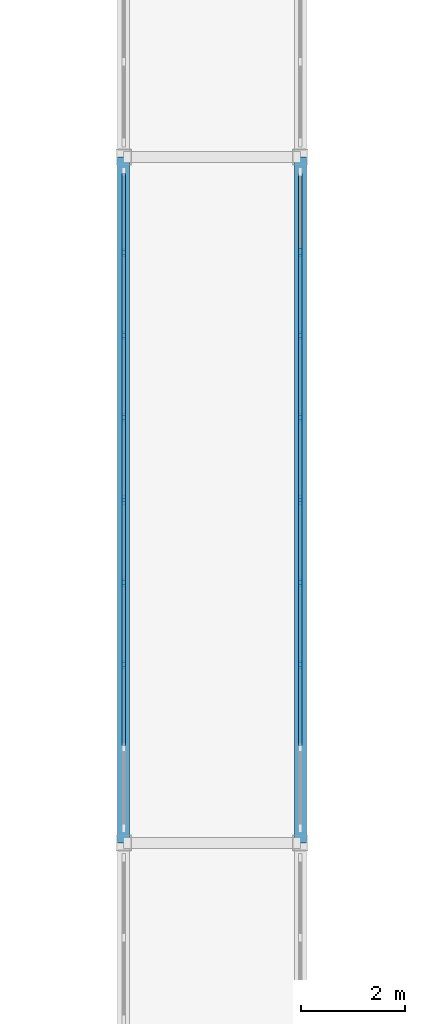
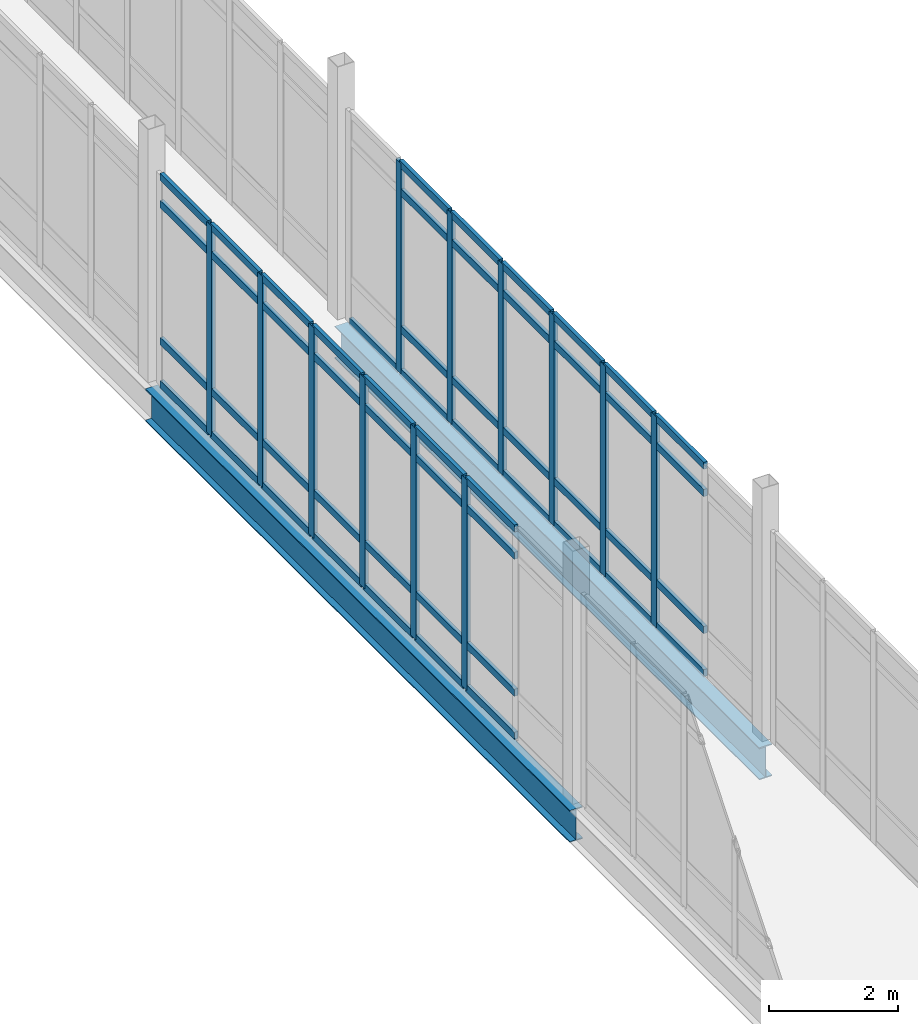
# One storey, part 53 of 125: 65 members, 2 beams, 2 elements without a shape of their own.
"""IFC4 building model written with IfcOpenShell, lengths in metres."""

from ifc_helpers import new_model, si_unit, direction, frame, origin, origin_2d, place, context, subcontext, project, spatial, rectangle, i_section, extrude, material, material_profile, profile_set, type_object, element, aggregate, save


model = new_model("IFC4")

# Units and contexts
model_context = context("Model", 3, precision=1e-05, world=origin(), true_north=direction((0.0, 1.0)))
body_context = subcontext(model_context, "Body", "Model", "MODEL_VIEW")
ifc_project = project(units=[si_unit("LENGTHUNIT", "METRE"), si_unit("AREAUNIT", "SQUARE_METRE"), si_unit("VOLUMEUNIT", "CUBIC_METRE"), si_unit("PLANEANGLEUNIT", "RADIAN"), si_unit("MASSUNIT", "GRAM", prefix="KILO")], contexts=[model_context])

# Site, building, storey
site_placement = place(None, origin())
site = spatial("IfcSite", under=ifc_project, at=site_placement, CompositionType="ELEMENT")
building_placement = place(site_placement, origin())
building = spatial("IfcBuilding", under=site, at=building_placement, Name="Dornvale Research Institute", CompositionType="ELEMENT")
storey_placement = place(building_placement, frame((0.0, 0.0, 5.39990234375)))
storey = spatial("IfcBuildingStorey", under=building, at=storey_placement, Name="L01", CompositionType="ELEMENT", Elevation=5.39990234375)

# Beams
ifc_material_1 = material(Name="Steel ASTM A992 Grade 50", Category="steel")
ifc_material_profile_1 = material_profile(ifc_material_1, i_section(OverallWidth=0.22900390625, OverallDepth=0.612060546875, WebThickness=0.011962890625, FlangeThickness=0.01953125, at=origin_2d()), Name="W24X84")
ifc_profile_set_1 = profile_set([ifc_material_profile_1], Name="Steel ASTM A992 Grade 50")
beam_type = type_object("IfcBeamType", Name="Beam_Steel_W24X84_Bridge", PredefinedType="BEAM", material=ifc_profile_set_1)
for number, where, z_axis, x_axis, name in (
    (1, (140.199951171875, 39.60009765625, -0.52587890625), (0.0, 1.0, 0.0), (-1.0, 0.0, 0.0), "L01 BR-7 west girder #2026"),
    (2, (143.60009765625, 39.60009765625, -0.52587890625), (0.0, 1.0, 0.0), (-1.0, 0.0, 0.0), "L01 BR-7 east girder #2026"),
):
    element("IfcBeam", number, at=place(storey_placement, frame(where, z_axis=z_axis, x_axis=x_axis)), inside=storey, type_object=beam_type, Name=name, PredefinedType="BEAM", context=body_context, shape_type="SweptSolid", body=[
        extrude(i_section(OverallWidth=0.22900390625, OverallDepth=0.612060546875, WebThickness=0.011962890625, FlangeThickness=0.01953125, at=origin_2d()), origin(), (0.0, 0.0, 1.0), 13.199951171875),
    ])

# Curtain wall, members
ifc_material_2 = material(Name="Low-E Argon Double Insulating Glazing Unit", Category="glass")
curtain_wall_type = type_object("IfcCurtainWallType", Name="UnitisedCurtainWall_V2_12700x4000", PredefinedType="USERDEFINED", material=ifc_material_2)
curtain_wall_1_placement = place(storey_placement, origin())
curtain_wall_1 = element("IfcCurtainWall", 3, at=curtain_wall_1_placement, inside=storey, type_object=curtain_wall_type, Name="L01 V2 unitised curtain wall CW-42 #233", ObjectType="UNITISED CURTAIN WALL", PredefinedType="USERDEFINED")
ifc_material_3 = material(Name="Anodized Aluminum AA 6063-T6 Thermally Broken Frame", Category="aluminium")
ifc_material_profile_2 = material_profile(ifc_material_3, rectangle(XDim=0.06494140625, YDim=0.1650390625, at=origin_2d()), Name="ALU MULLION 65x165")
ifc_profile_set_2 = profile_set([ifc_material_profile_2], Name="Anodized Aluminum AA 6063-T6 Thermally Broken Frame")
member_type_1 = type_object("IfcMemberType", Name="Mullion_Atrium_65x165", PredefinedType="MULLION", material=ifc_profile_set_2)
member_1_placement = place(storey_placement, frame((140.199951171875, 43.02490234375, 0.0), z_axis=(0.0, 0.0, 1.0), x_axis=(-1.0, 0.0, 0.0)))
member_1 = element("IfcMember", 4, at=member_1_placement, type_object=member_type_1, Name="CW-42 mullion 3", PredefinedType="MULLION", context=body_context, shape_type="SweptSolid", body=[
    extrude(rectangle(XDim=0.06494140625, YDim=0.1650390625, at=origin_2d()), origin(), (0.0, 0.0, 1.0), 4.0),
])
member_2_placement = place(storey_placement, frame((140.199951171875, 44.612548828125, 0.0), z_axis=(0.0, 0.0, 1.0), x_axis=(-1.0, 0.0, 0.0)))
member_2 = element("IfcMember", 5, at=member_2_placement, type_object=member_type_1, Name="CW-42 mullion 4", PredefinedType="MULLION", context=body_context, shape_type="SweptSolid", body=[
    extrude(rectangle(XDim=0.06494140625, YDim=0.1650390625, at=origin_2d()), origin(), (0.0, 0.0, 1.0), 4.0),
])
member_3_placement = place(storey_placement, frame((140.199951171875, 46.199951171875, 0.0), z_axis=(0.0, 0.0, 1.0), x_axis=(-1.0, 0.0, 0.0)))
member_3 = element("IfcMember", 6, at=member_3_placement, type_object=member_type_1, Name="CW-42 mullion 5", PredefinedType="MULLION", context=body_context, shape_type="SweptSolid", body=[
    extrude(rectangle(XDim=0.06494140625, YDim=0.1650390625, at=origin_2d()), origin(), (0.0, 0.0, 1.0), 4.0),
])
member_4_placement = place(storey_placement, frame((140.199951171875, 47.78759765625, 0.0), z_axis=(0.0, 0.0, 1.0), x_axis=(-1.0, 0.0, 0.0)))
member_4 = element("IfcMember", 7, at=member_4_placement, type_object=member_type_1, Name="CW-42 mullion 6", PredefinedType="MULLION", context=body_context, shape_type="SweptSolid", body=[
    extrude(rectangle(XDim=0.06494140625, YDim=0.1650390625, at=origin_2d()), origin(), (0.0, 0.0, 1.0), 4.0),
])
member_5_placement = place(storey_placement, frame((140.199951171875, 49.375, 0.0), z_axis=(0.0, 0.0, 1.0), x_axis=(-1.0, 0.0, 0.0)))
member_5 = element("IfcMember", 8, at=member_5_placement, type_object=member_type_1, Name="CW-42 mullion 7", PredefinedType="MULLION", context=body_context, shape_type="SweptSolid", body=[
    extrude(rectangle(XDim=0.06494140625, YDim=0.1650390625, at=origin_2d()), origin(), (0.0, 0.0, 1.0), 4.0),
])
member_6_placement = place(storey_placement, frame((140.199951171875, 50.96240234375, 0.0), z_axis=(0.0, 0.0, 1.0), x_axis=(-1.0, 0.0, 0.0)))
member_6 = element("IfcMember", 9, at=member_6_placement, type_object=member_type_1, Name="CW-42 mullion 8", PredefinedType="MULLION", context=body_context, shape_type="SweptSolid", body=[
    extrude(rectangle(XDim=0.06494140625, YDim=0.1650390625, at=origin_2d()), origin(), (0.0, 0.0, 1.0), 4.0),
])

curtain_wall_2_placement = place(storey_placement, origin())
curtain_wall_2 = element("IfcCurtainWall", 10, at=curtain_wall_2_placement, inside=storey, type_object=curtain_wall_type, Name="L01 V2 unitised curtain wall CW-42 #234", ObjectType="UNITISED CURTAIN WALL", PredefinedType="USERDEFINED")
member_7_placement = place(storey_placement, frame((143.60009765625, 50.96240234375, 0.0), z_axis=(0.0, 0.0, 1.0), x_axis=(1.0, 0.0, 0.0)))
member_7 = element("IfcMember", 11, at=member_7_placement, type_object=member_type_1, Name="CW-42 mullion 2", PredefinedType="MULLION", context=body_context, shape_type="SweptSolid", body=[
    extrude(rectangle(XDim=0.06494140625, YDim=0.1650390625, at=origin_2d()), origin(), (0.0, 0.0, 1.0), 4.0),
])
member_8_placement = place(storey_placement, frame((143.60009765625, 49.375, 0.0), z_axis=(0.0, 0.0, 1.0), x_axis=(1.0, 0.0, 0.0)))
member_8 = element("IfcMember", 12, at=member_8_placement, type_object=member_type_1, Name="CW-42 mullion 3", PredefinedType="MULLION", context=body_context, shape_type="SweptSolid", body=[
    extrude(rectangle(XDim=0.06494140625, YDim=0.1650390625, at=origin_2d()), origin(), (0.0, 0.0, 1.0), 4.0),
])
member_9_placement = place(storey_placement, frame((143.60009765625, 47.78759765625, 0.0), z_axis=(0.0, 0.0, 1.0), x_axis=(1.0, 0.0, 0.0)))
member_9 = element("IfcMember", 13, at=member_9_placement, type_object=member_type_1, Name="CW-42 mullion 4", PredefinedType="MULLION", context=body_context, shape_type="SweptSolid", body=[
    extrude(rectangle(XDim=0.06494140625, YDim=0.1650390625, at=origin_2d()), origin(), (0.0, 0.0, 1.0), 4.0),
])
member_10_placement = place(storey_placement, frame((143.60009765625, 46.199951171875, 0.0), z_axis=(0.0, 0.0, 1.0), x_axis=(1.0, 0.0, 0.0)))
member_10 = element("IfcMember", 14, at=member_10_placement, type_object=member_type_1, Name="CW-42 mullion 5", PredefinedType="MULLION", context=body_context, shape_type="SweptSolid", body=[
    extrude(rectangle(XDim=0.06494140625, YDim=0.1650390625, at=origin_2d()), origin(), (0.0, 0.0, 1.0), 4.0),
])
member_11_placement = place(storey_placement, frame((143.60009765625, 44.612548828125, 0.0), z_axis=(0.0, 0.0, 1.0), x_axis=(1.0, 0.0, 0.0)))
member_11 = element("IfcMember", 15, at=member_11_placement, type_object=member_type_1, Name="CW-42 mullion 6", PredefinedType="MULLION", context=body_context, shape_type="SweptSolid", body=[
    extrude(rectangle(XDim=0.06494140625, YDim=0.1650390625, at=origin_2d()), origin(), (0.0, 0.0, 1.0), 4.0),
])
member_12_placement = place(storey_placement, frame((143.60009765625, 43.02490234375, 0.0), z_axis=(0.0, 0.0, 1.0), x_axis=(1.0, 0.0, 0.0)))
member_12 = element("IfcMember", 16, at=member_12_placement, type_object=member_type_1, Name="CW-42 mullion 7", PredefinedType="MULLION", context=body_context, shape_type="SweptSolid", body=[
    extrude(rectangle(XDim=0.06494140625, YDim=0.1650390625, at=origin_2d()), origin(), (0.0, 0.0, 1.0), 4.0),
])

# Member
ifc_material_4 = material(Name="Anodized Aluminum AA 6063-T6 Thermally Broken Frame", Category="aluminium")
ifc_material_profile_3 = material_profile(ifc_material_4, rectangle(XDim=0.06494140625, YDim=0.135009765625, at=origin_2d()), Name="ALU TRANSOM 65x135")
ifc_profile_set_3 = profile_set([ifc_material_profile_3], Name="Anodized Aluminum AA 6063-T6 Thermally Broken Frame")
member_type_2 = type_object("IfcMemberType", Name="Transom_CW_65x135", PredefinedType="USERDEFINED", material=ifc_profile_set_3)
member_13_placement = place(storey_placement, frame((140.199951171875, 41.469970703125, 0.03271484375), z_axis=(0.0, 1.0, 0.0), x_axis=(-1.0, 0.0, 0.0)))
member_13 = element("IfcMember", 17, at=member_13_placement, type_object=member_type_2, Name="CW-42 transom 2.1", ObjectType="TRANSOM", PredefinedType="USERDEFINED", context=body_context, shape_type="SweptSolid", body=[
    extrude(rectangle(XDim=0.06494140625, YDim=0.135009765625, at=origin_2d()), origin(), (0.0, 0.0, 1.0), 1.5224609375),
])

member_14_placement = place(storey_placement, frame((140.199951171875, 41.469970703125, 0.85009765625), z_axis=(0.0, 1.0, 0.0), x_axis=(-1.0, 0.0, 0.0)))
member_14 = element("IfcMember", 18, at=member_14_placement, type_object=member_type_2, Name="CW-42 transom 2.2", ObjectType="TRANSOM", PredefinedType="USERDEFINED", context=body_context, shape_type="SweptSolid", body=[
    extrude(rectangle(XDim=0.06494140625, YDim=0.135009765625, at=origin_2d()), origin(), (0.0, 0.0, 1.0), 1.5224609375),
])

member_15_placement = place(storey_placement, frame((140.199951171875, 41.469970703125, 3.4501953125), z_axis=(0.0, 1.0, 0.0), x_axis=(-1.0, 0.0, 0.0)))
member_15 = element("IfcMember", 19, at=member_15_placement, type_object=member_type_2, Name="CW-42 transom 2.3", ObjectType="TRANSOM", PredefinedType="USERDEFINED", context=body_context, shape_type="SweptSolid", body=[
    extrude(rectangle(XDim=0.06494140625, YDim=0.135009765625, at=origin_2d()), origin(), (0.0, 0.0, 1.0), 1.5224609375),
])

member_16_placement = place(storey_placement, frame((140.199951171875, 41.469970703125, 3.967529296875), z_axis=(0.0, 1.0, 0.0), x_axis=(-1.0, 0.0, 0.0)))
member_16 = element("IfcMember", 20, at=member_16_placement, type_object=member_type_2, Name="CW-42 transom 2.4", ObjectType="TRANSOM", PredefinedType="USERDEFINED", context=body_context, shape_type="SweptSolid", body=[
    extrude(rectangle(XDim=0.06494140625, YDim=0.135009765625, at=origin_2d()), origin(), (0.0, 0.0, 1.0), 1.5224609375),
])

member_17_placement = place(storey_placement, frame((140.199951171875, 43.0576171875, 0.03271484375), z_axis=(0.0, 1.0, 0.0), x_axis=(-1.0, 0.0, 0.0)))
member_17 = element("IfcMember", 21, at=member_17_placement, type_object=member_type_2, Name="CW-42 transom 3.1", ObjectType="TRANSOM", PredefinedType="USERDEFINED", context=body_context, shape_type="SweptSolid", body=[
    extrude(rectangle(XDim=0.06494140625, YDim=0.135009765625, at=origin_2d()), origin(), (0.0, 0.0, 1.0), 1.5224609375),
])

member_18_placement = place(storey_placement, frame((140.199951171875, 43.0576171875, 0.85009765625), z_axis=(0.0, 1.0, 0.0), x_axis=(-1.0, 0.0, 0.0)))
member_18 = element("IfcMember", 22, at=member_18_placement, type_object=member_type_2, Name="CW-42 transom 3.2", ObjectType="TRANSOM", PredefinedType="USERDEFINED", context=body_context, shape_type="SweptSolid", body=[
    extrude(rectangle(XDim=0.06494140625, YDim=0.135009765625, at=origin_2d()), origin(), (0.0, 0.0, 1.0), 1.5224609375),
])

member_19_placement = place(storey_placement, frame((140.199951171875, 43.0576171875, 3.4501953125), z_axis=(0.0, 1.0, 0.0), x_axis=(-1.0, 0.0, 0.0)))
member_19 = element("IfcMember", 23, at=member_19_placement, type_object=member_type_2, Name="CW-42 transom 3.3", ObjectType="TRANSOM", PredefinedType="USERDEFINED", context=body_context, shape_type="SweptSolid", body=[
    extrude(rectangle(XDim=0.06494140625, YDim=0.135009765625, at=origin_2d()), origin(), (0.0, 0.0, 1.0), 1.5224609375),
])

member_20_placement = place(storey_placement, frame((140.199951171875, 43.0576171875, 3.967529296875), z_axis=(0.0, 1.0, 0.0), x_axis=(-1.0, 0.0, 0.0)))
member_20 = element("IfcMember", 24, at=member_20_placement, type_object=member_type_2, Name="CW-42 transom 3.4", ObjectType="TRANSOM", PredefinedType="USERDEFINED", context=body_context, shape_type="SweptSolid", body=[
    extrude(rectangle(XDim=0.06494140625, YDim=0.135009765625, at=origin_2d()), origin(), (0.0, 0.0, 1.0), 1.5224609375),
])

member_21_placement = place(storey_placement, frame((140.199951171875, 44.64501953125, 0.03271484375), z_axis=(0.0, 1.0, 0.0), x_axis=(-1.0, 0.0, 0.0)))
member_21 = element("IfcMember", 25, at=member_21_placement, type_object=member_type_2, Name="CW-42 transom 4.1", ObjectType="TRANSOM", PredefinedType="USERDEFINED", context=body_context, shape_type="SweptSolid", body=[
    extrude(rectangle(XDim=0.06494140625, YDim=0.135009765625, at=origin_2d()), origin(), (0.0, 0.0, 1.0), 1.5224609375),
])

member_22_placement = place(storey_placement, frame((140.199951171875, 44.64501953125, 0.85009765625), z_axis=(0.0, 1.0, 0.0), x_axis=(-1.0, 0.0, 0.0)))
member_22 = element("IfcMember", 26, at=member_22_placement, type_object=member_type_2, Name="CW-42 transom 4.2", ObjectType="TRANSOM", PredefinedType="USERDEFINED", context=body_context, shape_type="SweptSolid", body=[
    extrude(rectangle(XDim=0.06494140625, YDim=0.135009765625, at=origin_2d()), origin(), (0.0, 0.0, 1.0), 1.5224609375),
])

member_23_placement = place(storey_placement, frame((140.199951171875, 44.64501953125, 3.4501953125), z_axis=(0.0, 1.0, 0.0), x_axis=(-1.0, 0.0, 0.0)))
member_23 = element("IfcMember", 27, at=member_23_placement, type_object=member_type_2, Name="CW-42 transom 4.3", ObjectType="TRANSOM", PredefinedType="USERDEFINED", context=body_context, shape_type="SweptSolid", body=[
    extrude(rectangle(XDim=0.06494140625, YDim=0.135009765625, at=origin_2d()), origin(), (0.0, 0.0, 1.0), 1.5224609375),
])

member_24_placement = place(storey_placement, frame((140.199951171875, 44.64501953125, 3.967529296875), z_axis=(0.0, 1.0, 0.0), x_axis=(-1.0, 0.0, 0.0)))
member_24 = element("IfcMember", 28, at=member_24_placement, type_object=member_type_2, Name="CW-42 transom 4.4", ObjectType="TRANSOM", PredefinedType="USERDEFINED", context=body_context, shape_type="SweptSolid", body=[
    extrude(rectangle(XDim=0.06494140625, YDim=0.135009765625, at=origin_2d()), origin(), (0.0, 0.0, 1.0), 1.5224609375),
])

member_25_placement = place(storey_placement, frame((140.199951171875, 46.232421875, 0.03271484375), z_axis=(0.0, 1.0, 0.0), x_axis=(-1.0, 0.0, 0.0)))
member_25 = element("IfcMember", 29, at=member_25_placement, type_object=member_type_2, Name="CW-42 transom 5.1", ObjectType="TRANSOM", PredefinedType="USERDEFINED", context=body_context, shape_type="SweptSolid", body=[
    extrude(rectangle(XDim=0.06494140625, YDim=0.135009765625, at=origin_2d()), origin(), (0.0, 0.0, 1.0), 1.5224609375),
])

member_26_placement = place(storey_placement, frame((140.199951171875, 46.232421875, 0.85009765625), z_axis=(0.0, 1.0, 0.0), x_axis=(-1.0, 0.0, 0.0)))
member_26 = element("IfcMember", 30, at=member_26_placement, type_object=member_type_2, Name="CW-42 transom 5.2", ObjectType="TRANSOM", PredefinedType="USERDEFINED", context=body_context, shape_type="SweptSolid", body=[
    extrude(rectangle(XDim=0.06494140625, YDim=0.135009765625, at=origin_2d()), origin(), (0.0, 0.0, 1.0), 1.5224609375),
])

member_27_placement = place(storey_placement, frame((140.199951171875, 46.232421875, 3.4501953125), z_axis=(0.0, 1.0, 0.0), x_axis=(-1.0, 0.0, 0.0)))
member_27 = element("IfcMember", 31, at=member_27_placement, type_object=member_type_2, Name="CW-42 transom 5.3", ObjectType="TRANSOM", PredefinedType="USERDEFINED", context=body_context, shape_type="SweptSolid", body=[
    extrude(rectangle(XDim=0.06494140625, YDim=0.135009765625, at=origin_2d()), origin(), (0.0, 0.0, 1.0), 1.5224609375),
])

member_28_placement = place(storey_placement, frame((140.199951171875, 46.232421875, 3.967529296875), z_axis=(0.0, 1.0, 0.0), x_axis=(-1.0, 0.0, 0.0)))
member_28 = element("IfcMember", 32, at=member_28_placement, type_object=member_type_2, Name="CW-42 transom 5.4", ObjectType="TRANSOM", PredefinedType="USERDEFINED", context=body_context, shape_type="SweptSolid", body=[
    extrude(rectangle(XDim=0.06494140625, YDim=0.135009765625, at=origin_2d()), origin(), (0.0, 0.0, 1.0), 1.5224609375),
])

member_29_placement = place(storey_placement, frame((140.199951171875, 47.820068359375, 0.03271484375), z_axis=(0.0, 1.0, 0.0), x_axis=(-1.0, 0.0, 0.0)))
member_29 = element("IfcMember", 33, at=member_29_placement, type_object=member_type_2, Name="CW-42 transom 6.1", ObjectType="TRANSOM", PredefinedType="USERDEFINED", context=body_context, shape_type="SweptSolid", body=[
    extrude(rectangle(XDim=0.06494140625, YDim=0.135009765625, at=origin_2d()), origin(), (0.0, 0.0, 1.0), 1.5224609375),
])

member_30_placement = place(storey_placement, frame((140.199951171875, 47.820068359375, 0.85009765625), z_axis=(0.0, 1.0, 0.0), x_axis=(-1.0, 0.0, 0.0)))
member_30 = element("IfcMember", 34, at=member_30_placement, type_object=member_type_2, Name="CW-42 transom 6.2", ObjectType="TRANSOM", PredefinedType="USERDEFINED", context=body_context, shape_type="SweptSolid", body=[
    extrude(rectangle(XDim=0.06494140625, YDim=0.135009765625, at=origin_2d()), origin(), (0.0, 0.0, 1.0), 1.5224609375),
])

member_31_placement = place(storey_placement, frame((140.199951171875, 47.820068359375, 3.4501953125), z_axis=(0.0, 1.0, 0.0), x_axis=(-1.0, 0.0, 0.0)))
member_31 = element("IfcMember", 35, at=member_31_placement, type_object=member_type_2, Name="CW-42 transom 6.3", ObjectType="TRANSOM", PredefinedType="USERDEFINED", context=body_context, shape_type="SweptSolid", body=[
    extrude(rectangle(XDim=0.06494140625, YDim=0.135009765625, at=origin_2d()), origin(), (0.0, 0.0, 1.0), 1.5224609375),
])

member_32_placement = place(storey_placement, frame((140.199951171875, 47.820068359375, 3.967529296875), z_axis=(0.0, 1.0, 0.0), x_axis=(-1.0, 0.0, 0.0)))
member_32 = element("IfcMember", 36, at=member_32_placement, type_object=member_type_2, Name="CW-42 transom 6.4", ObjectType="TRANSOM", PredefinedType="USERDEFINED", context=body_context, shape_type="SweptSolid", body=[
    extrude(rectangle(XDim=0.06494140625, YDim=0.135009765625, at=origin_2d()), origin(), (0.0, 0.0, 1.0), 1.5224609375),
])

member_33_placement = place(storey_placement, frame((140.199951171875, 49.407470703125, 0.03271484375), z_axis=(0.0, 1.0, 0.0), x_axis=(-1.0, 0.0, 0.0)))
member_33 = element("IfcMember", 37, at=member_33_placement, type_object=member_type_2, Name="CW-42 transom 7.1", ObjectType="TRANSOM", PredefinedType="USERDEFINED", context=body_context, shape_type="SweptSolid", body=[
    extrude(rectangle(XDim=0.06494140625, YDim=0.135009765625, at=origin_2d()), origin(), (0.0, 0.0, 1.0), 1.5224609375),
])

member_34_placement = place(storey_placement, frame((140.199951171875, 49.407470703125, 0.85009765625), z_axis=(0.0, 1.0, 0.0), x_axis=(-1.0, 0.0, 0.0)))
member_34 = element("IfcMember", 38, at=member_34_placement, type_object=member_type_2, Name="CW-42 transom 7.2", ObjectType="TRANSOM", PredefinedType="USERDEFINED", context=body_context, shape_type="SweptSolid", body=[
    extrude(rectangle(XDim=0.06494140625, YDim=0.135009765625, at=origin_2d()), origin(), (0.0, 0.0, 1.0), 1.5224609375),
])

member_35_placement = place(storey_placement, frame((140.199951171875, 49.407470703125, 3.4501953125), z_axis=(0.0, 1.0, 0.0), x_axis=(-1.0, 0.0, 0.0)))
member_35 = element("IfcMember", 39, at=member_35_placement, type_object=member_type_2, Name="CW-42 transom 7.3", ObjectType="TRANSOM", PredefinedType="USERDEFINED", context=body_context, shape_type="SweptSolid", body=[
    extrude(rectangle(XDim=0.06494140625, YDim=0.135009765625, at=origin_2d()), origin(), (0.0, 0.0, 1.0), 1.5224609375),
])

member_36_placement = place(storey_placement, frame((140.199951171875, 49.407470703125, 3.967529296875), z_axis=(0.0, 1.0, 0.0), x_axis=(-1.0, 0.0, 0.0)))
member_36 = element("IfcMember", 40, at=member_36_placement, type_object=member_type_2, Name="CW-42 transom 7.4", ObjectType="TRANSOM", PredefinedType="USERDEFINED", context=body_context, shape_type="SweptSolid", body=[
    extrude(rectangle(XDim=0.06494140625, YDim=0.135009765625, at=origin_2d()), origin(), (0.0, 0.0, 1.0), 1.5224609375),
])

member_37_placement = place(storey_placement, frame((140.199951171875, 50.9951171875, 0.03271484375), z_axis=(0.0, 1.0, 0.0), x_axis=(-1.0, 0.0, 0.0)))
member_37 = element("IfcMember", 41, at=member_37_placement, type_object=member_type_2, Name="CW-42 transom 8.1", ObjectType="TRANSOM", PredefinedType="USERDEFINED", context=body_context, shape_type="SweptSolid", body=[
    extrude(rectangle(XDim=0.06494140625, YDim=0.135009765625, at=origin_2d()), origin(), (0.0, 0.0, 1.0), 1.489990234375),
])

member_38_placement = place(storey_placement, frame((140.199951171875, 50.9951171875, 0.85009765625), z_axis=(0.0, 1.0, 0.0), x_axis=(-1.0, 0.0, 0.0)))
member_38 = element("IfcMember", 42, at=member_38_placement, type_object=member_type_2, Name="CW-42 transom 8.2", ObjectType="TRANSOM", PredefinedType="USERDEFINED", context=body_context, shape_type="SweptSolid", body=[
    extrude(rectangle(XDim=0.06494140625, YDim=0.135009765625, at=origin_2d()), origin(), (0.0, 0.0, 1.0), 1.489990234375),
])

member_39_placement = place(storey_placement, frame((140.199951171875, 50.9951171875, 3.4501953125), z_axis=(0.0, 1.0, 0.0), x_axis=(-1.0, 0.0, 0.0)))
member_39 = element("IfcMember", 43, at=member_39_placement, type_object=member_type_2, Name="CW-42 transom 8.3", ObjectType="TRANSOM", PredefinedType="USERDEFINED", context=body_context, shape_type="SweptSolid", body=[
    extrude(rectangle(XDim=0.06494140625, YDim=0.135009765625, at=origin_2d()), origin(), (0.0, 0.0, 1.0), 1.489990234375),
])

member_40_placement = place(storey_placement, frame((140.199951171875, 50.9951171875, 3.967529296875), z_axis=(0.0, 1.0, 0.0), x_axis=(-1.0, 0.0, 0.0)))
member_40 = element("IfcMember", 44, at=member_40_placement, type_object=member_type_2, Name="CW-42 transom 8.4", ObjectType="TRANSOM", PredefinedType="USERDEFINED", context=body_context, shape_type="SweptSolid", body=[
    extrude(rectangle(XDim=0.06494140625, YDim=0.135009765625, at=origin_2d()), origin(), (0.0, 0.0, 1.0), 1.489990234375),
])

aggregate(curtain_wall_1, [member_1, member_2, member_3, member_4, member_5, member_6, member_13, member_14, member_15, member_16, member_17, member_18, member_19, member_20, member_21, member_22, member_23, member_24, member_25, member_26, member_27, member_28, member_29, member_30, member_31, member_32, member_33, member_34, member_35, member_36, member_37, member_38, member_39, member_40])

member_41_placement = place(storey_placement, frame((143.60009765625, 52.485107421875, 0.03271484375), z_axis=(0.0, -1.0, 0.0), x_axis=(1.0, 0.0, 0.0)))
member_41 = element("IfcMember", 45, at=member_41_placement, type_object=member_type_2, Name="CW-42 transom 1.1", ObjectType="TRANSOM", PredefinedType="USERDEFINED", context=body_context, shape_type="SweptSolid", body=[
    extrude(rectangle(XDim=0.06494140625, YDim=0.135009765625, at=origin_2d()), origin(), (0.0, 0.0, 1.0), 1.489990234375),
])

member_42_placement = place(storey_placement, frame((143.60009765625, 50.929931640625, 0.03271484375), z_axis=(0.0, -1.0, 0.0), x_axis=(1.0, 0.0, 0.0)))
member_42 = element("IfcMember", 46, at=member_42_placement, type_object=member_type_2, Name="CW-42 transom 2.1", ObjectType="TRANSOM", PredefinedType="USERDEFINED", context=body_context, shape_type="SweptSolid", body=[
    extrude(rectangle(XDim=0.06494140625, YDim=0.135009765625, at=origin_2d()), origin(), (0.0, 0.0, 1.0), 1.5224609375),
])

member_43_placement = place(storey_placement, frame((143.60009765625, 50.929931640625, 0.85009765625), z_axis=(0.0, -1.0, 0.0), x_axis=(1.0, 0.0, 0.0)))
member_43 = element("IfcMember", 47, at=member_43_placement, type_object=member_type_2, Name="CW-42 transom 2.2", ObjectType="TRANSOM", PredefinedType="USERDEFINED", context=body_context, shape_type="SweptSolid", body=[
    extrude(rectangle(XDim=0.06494140625, YDim=0.135009765625, at=origin_2d()), origin(), (0.0, 0.0, 1.0), 1.5224609375),
])

member_44_placement = place(storey_placement, frame((143.60009765625, 50.929931640625, 3.4501953125), z_axis=(0.0, -1.0, 0.0), x_axis=(1.0, 0.0, 0.0)))
member_44 = element("IfcMember", 48, at=member_44_placement, type_object=member_type_2, Name="CW-42 transom 2.3", ObjectType="TRANSOM", PredefinedType="USERDEFINED", context=body_context, shape_type="SweptSolid", body=[
    extrude(rectangle(XDim=0.06494140625, YDim=0.135009765625, at=origin_2d()), origin(), (0.0, 0.0, 1.0), 1.5224609375),
])

member_45_placement = place(storey_placement, frame((143.60009765625, 50.929931640625, 3.967529296875), z_axis=(0.0, -1.0, 0.0), x_axis=(1.0, 0.0, 0.0)))
member_45 = element("IfcMember", 49, at=member_45_placement, type_object=member_type_2, Name="CW-42 transom 2.4", ObjectType="TRANSOM", PredefinedType="USERDEFINED", context=body_context, shape_type="SweptSolid", body=[
    extrude(rectangle(XDim=0.06494140625, YDim=0.135009765625, at=origin_2d()), origin(), (0.0, 0.0, 1.0), 1.5224609375),
])

member_46_placement = place(storey_placement, frame((143.60009765625, 49.342529296875, 0.03271484375), z_axis=(0.0, -1.0, 0.0), x_axis=(1.0, 0.0, 0.0)))
member_46 = element("IfcMember", 50, at=member_46_placement, type_object=member_type_2, Name="CW-42 transom 3.1", ObjectType="TRANSOM", PredefinedType="USERDEFINED", context=body_context, shape_type="SweptSolid", body=[
    extrude(rectangle(XDim=0.06494140625, YDim=0.135009765625, at=origin_2d()), origin(), (0.0, 0.0, 1.0), 1.5224609375),
])

member_47_placement = place(storey_placement, frame((143.60009765625, 49.342529296875, 0.85009765625), z_axis=(0.0, -1.0, 0.0), x_axis=(1.0, 0.0, 0.0)))
member_47 = element("IfcMember", 51, at=member_47_placement, type_object=member_type_2, Name="CW-42 transom 3.2", ObjectType="TRANSOM", PredefinedType="USERDEFINED", context=body_context, shape_type="SweptSolid", body=[
    extrude(rectangle(XDim=0.06494140625, YDim=0.135009765625, at=origin_2d()), origin(), (0.0, 0.0, 1.0), 1.5224609375),
])

member_48_placement = place(storey_placement, frame((143.60009765625, 49.342529296875, 3.4501953125), z_axis=(0.0, -1.0, 0.0), x_axis=(1.0, 0.0, 0.0)))
member_48 = element("IfcMember", 52, at=member_48_placement, type_object=member_type_2, Name="CW-42 transom 3.3", ObjectType="TRANSOM", PredefinedType="USERDEFINED", context=body_context, shape_type="SweptSolid", body=[
    extrude(rectangle(XDim=0.06494140625, YDim=0.135009765625, at=origin_2d()), origin(), (0.0, 0.0, 1.0), 1.5224609375),
])

member_49_placement = place(storey_placement, frame((143.60009765625, 49.342529296875, 3.967529296875), z_axis=(0.0, -1.0, 0.0), x_axis=(1.0, 0.0, 0.0)))
member_49 = element("IfcMember", 53, at=member_49_placement, type_object=member_type_2, Name="CW-42 transom 3.4", ObjectType="TRANSOM", PredefinedType="USERDEFINED", context=body_context, shape_type="SweptSolid", body=[
    extrude(rectangle(XDim=0.06494140625, YDim=0.135009765625, at=origin_2d()), origin(), (0.0, 0.0, 1.0), 1.5224609375),
])

member_50_placement = place(storey_placement, frame((143.60009765625, 47.7548828125, 0.03271484375), z_axis=(0.0, -1.0, 0.0), x_axis=(1.0, 0.0, 0.0)))
member_50 = element("IfcMember", 54, at=member_50_placement, type_object=member_type_2, Name="CW-42 transom 4.1", ObjectType="TRANSOM", PredefinedType="USERDEFINED", context=body_context, shape_type="SweptSolid", body=[
    extrude(rectangle(XDim=0.06494140625, YDim=0.135009765625, at=origin_2d()), origin(), (0.0, 0.0, 1.0), 1.5224609375),
])

member_51_placement = place(storey_placement, frame((143.60009765625, 47.7548828125, 0.85009765625), z_axis=(0.0, -1.0, 0.0), x_axis=(1.0, 0.0, 0.0)))
member_51 = element("IfcMember", 55, at=member_51_placement, type_object=member_type_2, Name="CW-42 transom 4.2", ObjectType="TRANSOM", PredefinedType="USERDEFINED", context=body_context, shape_type="SweptSolid", body=[
    extrude(rectangle(XDim=0.06494140625, YDim=0.135009765625, at=origin_2d()), origin(), (0.0, 0.0, 1.0), 1.5224609375),
])

member_52_placement = place(storey_placement, frame((143.60009765625, 47.7548828125, 3.4501953125), z_axis=(0.0, -1.0, 0.0), x_axis=(1.0, 0.0, 0.0)))
member_52 = element("IfcMember", 56, at=member_52_placement, type_object=member_type_2, Name="CW-42 transom 4.3", ObjectType="TRANSOM", PredefinedType="USERDEFINED", context=body_context, shape_type="SweptSolid", body=[
    extrude(rectangle(XDim=0.06494140625, YDim=0.135009765625, at=origin_2d()), origin(), (0.0, 0.0, 1.0), 1.5224609375),
])

member_53_placement = place(storey_placement, frame((143.60009765625, 47.7548828125, 3.967529296875), z_axis=(0.0, -1.0, 0.0), x_axis=(1.0, 0.0, 0.0)))
member_53 = element("IfcMember", 57, at=member_53_placement, type_object=member_type_2, Name="CW-42 transom 4.4", ObjectType="TRANSOM", PredefinedType="USERDEFINED", context=body_context, shape_type="SweptSolid", body=[
    extrude(rectangle(XDim=0.06494140625, YDim=0.135009765625, at=origin_2d()), origin(), (0.0, 0.0, 1.0), 1.5224609375),
])

member_54_placement = place(storey_placement, frame((143.60009765625, 46.16748046875, 0.03271484375), z_axis=(0.0, -1.0, 0.0), x_axis=(1.0, 0.0, 0.0)))
member_54 = element("IfcMember", 58, at=member_54_placement, type_object=member_type_2, Name="CW-42 transom 5.1", ObjectType="TRANSOM", PredefinedType="USERDEFINED", context=body_context, shape_type="SweptSolid", body=[
    extrude(rectangle(XDim=0.06494140625, YDim=0.135009765625, at=origin_2d()), origin(), (0.0, 0.0, 1.0), 1.5224609375),
])

member_55_placement = place(storey_placement, frame((143.60009765625, 46.16748046875, 0.85009765625), z_axis=(0.0, -1.0, 0.0), x_axis=(1.0, 0.0, 0.0)))
member_55 = element("IfcMember", 59, at=member_55_placement, type_object=member_type_2, Name="CW-42 transom 5.2", ObjectType="TRANSOM", PredefinedType="USERDEFINED", context=body_context, shape_type="SweptSolid", body=[
    extrude(rectangle(XDim=0.06494140625, YDim=0.135009765625, at=origin_2d()), origin(), (0.0, 0.0, 1.0), 1.5224609375),
])

member_56_placement = place(storey_placement, frame((143.60009765625, 46.16748046875, 3.4501953125), z_axis=(0.0, -1.0, 0.0), x_axis=(1.0, 0.0, 0.0)))
member_56 = element("IfcMember", 60, at=member_56_placement, type_object=member_type_2, Name="CW-42 transom 5.3", ObjectType="TRANSOM", PredefinedType="USERDEFINED", context=body_context, shape_type="SweptSolid", body=[
    extrude(rectangle(XDim=0.06494140625, YDim=0.135009765625, at=origin_2d()), origin(), (0.0, 0.0, 1.0), 1.5224609375),
])

member_57_placement = place(storey_placement, frame((143.60009765625, 46.16748046875, 3.967529296875), z_axis=(0.0, -1.0, 0.0), x_axis=(1.0, 0.0, 0.0)))
member_57 = element("IfcMember", 61, at=member_57_placement, type_object=member_type_2, Name="CW-42 transom 5.4", ObjectType="TRANSOM", PredefinedType="USERDEFINED", context=body_context, shape_type="SweptSolid", body=[
    extrude(rectangle(XDim=0.06494140625, YDim=0.135009765625, at=origin_2d()), origin(), (0.0, 0.0, 1.0), 1.5224609375),
])

member_58_placement = place(storey_placement, frame((143.60009765625, 44.580078125, 0.03271484375), z_axis=(0.0, -1.0, 0.0), x_axis=(1.0, 0.0, 0.0)))
member_58 = element("IfcMember", 62, at=member_58_placement, type_object=member_type_2, Name="CW-42 transom 6.1", ObjectType="TRANSOM", PredefinedType="USERDEFINED", context=body_context, shape_type="SweptSolid", body=[
    extrude(rectangle(XDim=0.06494140625, YDim=0.135009765625, at=origin_2d()), origin(), (0.0, 0.0, 1.0), 1.5224609375),
])

member_59_placement = place(storey_placement, frame((143.60009765625, 44.580078125, 0.85009765625), z_axis=(0.0, -1.0, 0.0), x_axis=(1.0, 0.0, 0.0)))
member_59 = element("IfcMember", 63, at=member_59_placement, type_object=member_type_2, Name="CW-42 transom 6.2", ObjectType="TRANSOM", PredefinedType="USERDEFINED", context=body_context, shape_type="SweptSolid", body=[
    extrude(rectangle(XDim=0.06494140625, YDim=0.135009765625, at=origin_2d()), origin(), (0.0, 0.0, 1.0), 1.5224609375),
])

member_60_placement = place(storey_placement, frame((143.60009765625, 44.580078125, 3.4501953125), z_axis=(0.0, -1.0, 0.0), x_axis=(1.0, 0.0, 0.0)))
member_60 = element("IfcMember", 64, at=member_60_placement, type_object=member_type_2, Name="CW-42 transom 6.3", ObjectType="TRANSOM", PredefinedType="USERDEFINED", context=body_context, shape_type="SweptSolid", body=[
    extrude(rectangle(XDim=0.06494140625, YDim=0.135009765625, at=origin_2d()), origin(), (0.0, 0.0, 1.0), 1.5224609375),
])

member_61_placement = place(storey_placement, frame((143.60009765625, 44.580078125, 3.967529296875), z_axis=(0.0, -1.0, 0.0), x_axis=(1.0, 0.0, 0.0)))
member_61 = element("IfcMember", 65, at=member_61_placement, type_object=member_type_2, Name="CW-42 transom 6.4", ObjectType="TRANSOM", PredefinedType="USERDEFINED", context=body_context, shape_type="SweptSolid", body=[
    extrude(rectangle(XDim=0.06494140625, YDim=0.135009765625, at=origin_2d()), origin(), (0.0, 0.0, 1.0), 1.5224609375),
])

member_62_placement = place(storey_placement, frame((143.60009765625, 42.992431640625, 0.03271484375), z_axis=(0.0, -1.0, 0.0), x_axis=(1.0, 0.0, 0.0)))
member_62 = element("IfcMember", 66, at=member_62_placement, type_object=member_type_2, Name="CW-42 transom 7.1", ObjectType="TRANSOM", PredefinedType="USERDEFINED", context=body_context, shape_type="SweptSolid", body=[
    extrude(rectangle(XDim=0.06494140625, YDim=0.135009765625, at=origin_2d()), origin(), (0.0, 0.0, 1.0), 1.5224609375),
])

member_63_placement = place(storey_placement, frame((143.60009765625, 42.992431640625, 0.85009765625), z_axis=(0.0, -1.0, 0.0), x_axis=(1.0, 0.0, 0.0)))
member_63 = element("IfcMember", 67, at=member_63_placement, type_object=member_type_2, Name="CW-42 transom 7.2", ObjectType="TRANSOM", PredefinedType="USERDEFINED", context=body_context, shape_type="SweptSolid", body=[
    extrude(rectangle(XDim=0.06494140625, YDim=0.135009765625, at=origin_2d()), origin(), (0.0, 0.0, 1.0), 1.5224609375),
])

member_64_placement = place(storey_placement, frame((143.60009765625, 42.992431640625, 3.4501953125), z_axis=(0.0, -1.0, 0.0), x_axis=(1.0, 0.0, 0.0)))
member_64 = element("IfcMember", 68, at=member_64_placement, type_object=member_type_2, Name="CW-42 transom 7.3", ObjectType="TRANSOM", PredefinedType="USERDEFINED", context=body_context, shape_type="SweptSolid", body=[
    extrude(rectangle(XDim=0.06494140625, YDim=0.135009765625, at=origin_2d()), origin(), (0.0, 0.0, 1.0), 1.5224609375),
])

member_65_placement = place(storey_placement, frame((143.60009765625, 42.992431640625, 3.967529296875), z_axis=(0.0, -1.0, 0.0), x_axis=(1.0, 0.0, 0.0)))
member_65 = element("IfcMember", 69, at=member_65_placement, type_object=member_type_2, Name="CW-42 transom 7.4", ObjectType="TRANSOM", PredefinedType="USERDEFINED", context=body_context, shape_type="SweptSolid", body=[
    extrude(rectangle(XDim=0.06494140625, YDim=0.135009765625, at=origin_2d()), origin(), (0.0, 0.0, 1.0), 1.5224609375),
])

aggregate(curtain_wall_2, [member_7, member_8, member_9, member_10, member_11, member_12, member_41, member_42, member_43, member_44, member_45, member_46, member_47, member_48, member_49, member_50, member_51, member_52, member_53, member_54, member_55, member_56, member_57, member_58, member_59, member_60, member_61, member_62, member_63, member_64, member_65])

save(model, "model.ifc")
